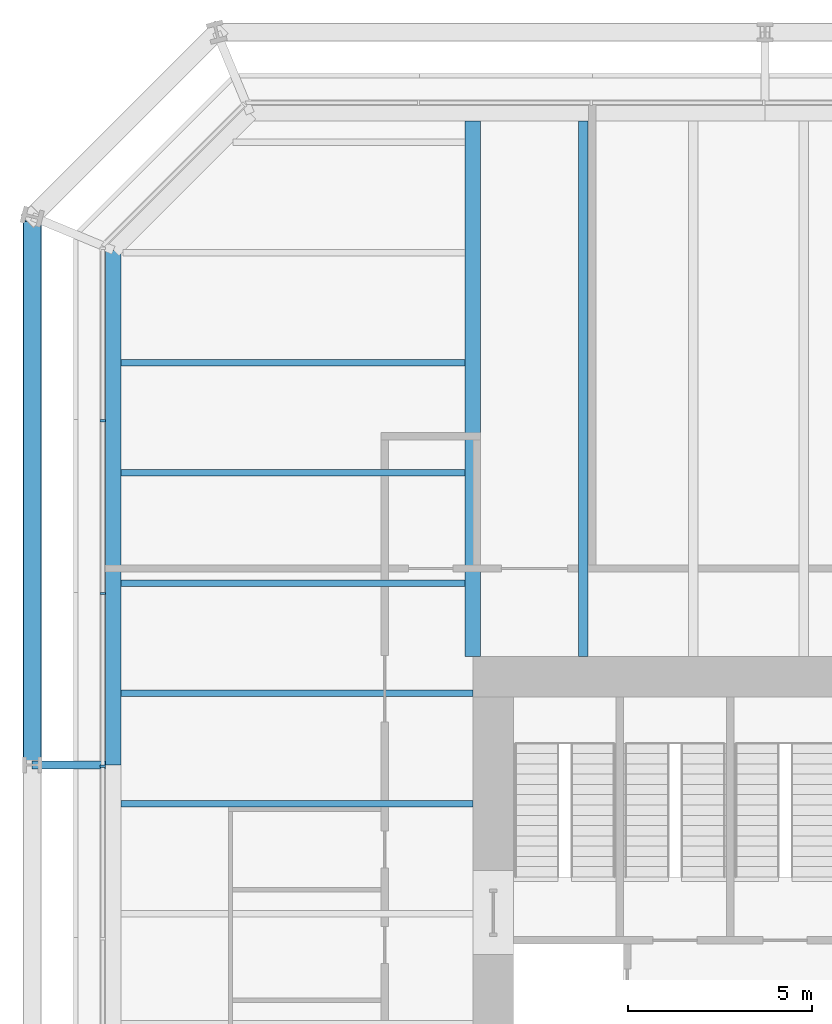
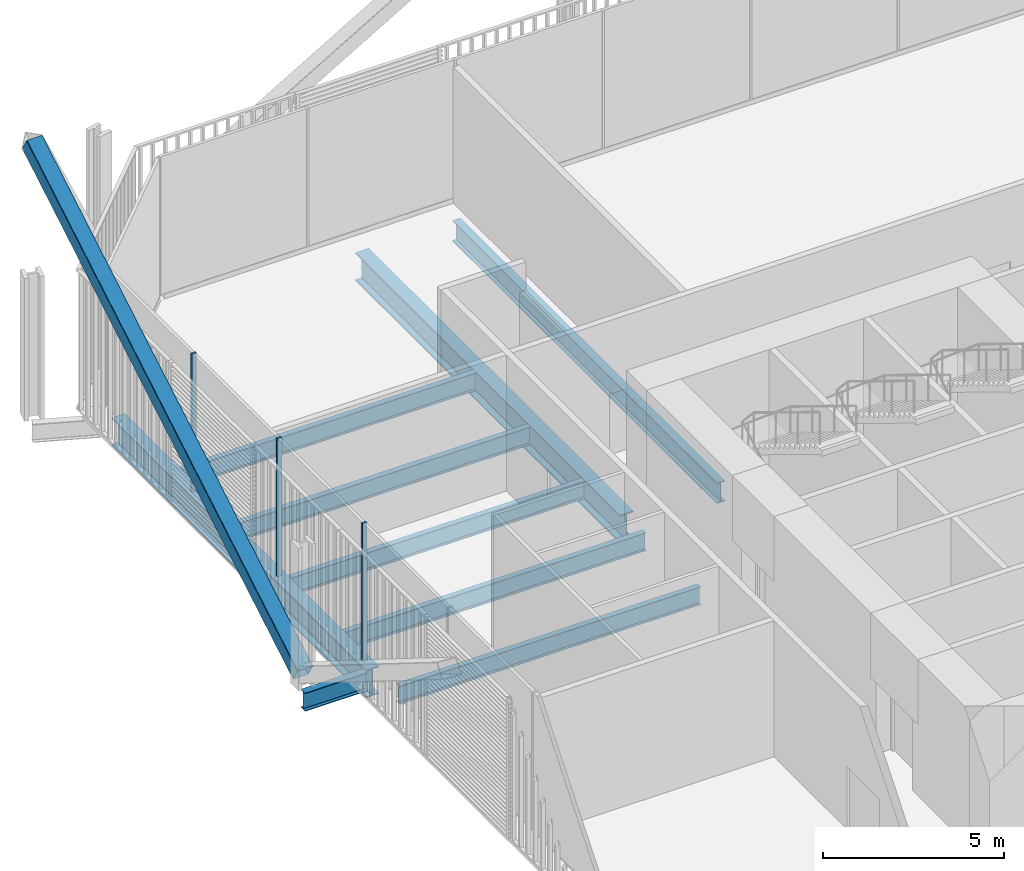
# One storey, part 12 of 22: 9 beams, 4 members, 1 element without a shape of its own.
"""IFC4 building model written with IfcOpenShell, lengths in metres."""

from ifc_helpers import new_model, si_unit, direction, frame, origin, origin_2d, place, context, subcontext, project, spatial, rectangle, hollow_rectangle, i_section, extrude, material, layer, layer_set, material_profile, profile_set, type_object, element, aggregate, save


model = new_model("IFC4")

# Units and contexts
model_context = context("Model", 3, precision=1e-05, world=origin(), true_north=direction((0.0, 1.0)))
body_context = subcontext(model_context, "Body", "Model", "MODEL_VIEW")
ifc_project = project(units=[si_unit("LENGTHUNIT", "METRE"), si_unit("AREAUNIT", "SQUARE_METRE"), si_unit("VOLUMEUNIT", "CUBIC_METRE"), si_unit("PLANEANGLEUNIT", "RADIAN"), si_unit("MASSUNIT", "GRAM", prefix="KILO")], contexts=[model_context])

# Site, building, storey
site_placement = place(None, origin())
site = spatial("IfcSite", under=ifc_project, at=site_placement, CompositionType="ELEMENT")
building_placement = place(site_placement, origin())
building = spatial("IfcBuilding", under=site, at=building_placement, Name="Millrace Tower", CompositionType="ELEMENT")
storey_placement = place(building_placement, frame((0.0, 0.0, 54.5)))
storey = spatial("IfcBuildingStorey", under=building, at=storey_placement, Name="L12", CompositionType="ELEMENT", Elevation=54.5)

# Curtain wall, members
ifc_material_1 = material(Name="Aluminium and glass", Category="aluminium")
ifc_layer = layer(ifc_material_1, 0.14990234375)
ifc_layer_set = layer_set([ifc_layer], Name="Aluminium and glass")
curtain_wall_type = type_object("IfcCurtainWallType", Name="CW-2 data hall insulated curtain wall", PredefinedType="NOTDEFINED", material=ifc_layer_set)
curtain_wall_placement = place(storey_placement, origin())
curtain_wall = element("IfcCurtainWall", 1, at=curtain_wall_placement, inside=storey, type_object=curtain_wall_type, Name="Curtain wall A-F08 L12", PredefinedType="NOTDEFINED")
ifc_material_2 = material(Name="Aluminium", Category="aluminium")
ifc_material_profile_1 = material_profile(ifc_material_2, rectangle(XDim=0.06494140625, YDim=0.14990234375, at=origin_2d()))
ifc_profile_set_1 = profile_set([ifc_material_profile_1], Name="Aluminium")
member_type_1 = type_object("IfcMemberType", Name="CW-2 data hall insulated curtain wall mullion", PredefinedType="MULLION", material=ifc_profile_set_1)
member_1_placement = place(storey_placement, frame((-25.074951171875, 16.41748046875, 0.159912109375), z_axis=(0.0, 0.0, 1.0), x_axis=(0.0, -1.0, 0.0)))
member_1 = element("IfcMember", 2, at=member_1_placement, type_object=member_type_1, Name="CW2 mullion A-F08.2", PredefinedType="MULLION", context=body_context, shape_type="SweptSolid", body=[
    extrude(rectangle(XDim=0.06494140625, YDim=0.14990234375, at=origin_2d()), origin(), (0.0, 0.0, 1.0), 4.64013671875),
])
member_2_placement = place(storey_placement, frame((-25.074951171875, 11.717529296875, 0.159912109375), z_axis=(0.0, 0.0, 1.0), x_axis=(0.0, -1.0, 0.0)))
member_2 = element("IfcMember", 3, at=member_2_placement, type_object=member_type_1, Name="CW2 mullion A-F08.3", PredefinedType="MULLION", context=body_context, shape_type="SweptSolid", body=[
    extrude(rectangle(XDim=0.06494140625, YDim=0.14990234375, at=origin_2d()), origin(), (0.0, 0.0, 1.0), 4.64013671875),
])
member_3_placement = place(storey_placement, frame((-25.074951171875, 7.017578125, 0.159912109375), z_axis=(0.0, 0.0, 1.0), x_axis=(0.0, -1.0, 0.0)))
member_3 = element("IfcMember", 4, at=member_3_placement, type_object=member_type_1, Name="CW2 mullion A-F08.4", PredefinedType="MULLION", context=body_context, shape_type="SweptSolid", body=[
    extrude(rectangle(XDim=0.06494140625, YDim=0.14990234375, at=origin_2d()), origin(), (0.0, 0.0, 1.0), 4.64013671875),
])
aggregate(curtain_wall, [member_1, member_2, member_3])

# Member
ifc_material_3 = material(Name="Steel ASTM A500 Grade C", Category="steel")
ifc_material_profile_2 = material_profile(ifc_material_3, hollow_rectangle(XDim=0.508056640625, YDim=0.508056640625, WallThickness=0.01904296875, InnerFilletRadius=0.009521484375, OuterFilletRadius=0.028564453125, at=origin_2d()))
ifc_profile_set_2 = profile_set([ifc_material_profile_2], Name="Steel ASTM A500 Grade C")
member_type_2 = type_object("IfcMemberType", Name="Exoskeleton brace HSS20x20x3/4", PredefinedType="BRACE", material=ifc_profile_set_2)
member_4_placement = place(storey_placement, frame((-27.0, 7.050048828125, 0.39990234375), z_axis=(0.0, 0.861464835883, 0.507817227491), x_axis=(-1.0, 0.0, 0.0)))
element("IfcMember", 5, at=member_4_placement, inside=storey, type_object=member_type_2, Name="BRC-A-L12-14", PredefinedType="BRACE", context=body_context, shape_type="SweptSolid", body=[
    extrude(hollow_rectangle(XDim=0.508056640625, YDim=0.508056640625, WallThickness=0.01904296875, InnerFilletRadius=0.009521484375, OuterFilletRadius=0.028564453125, at=origin_2d()), origin(), (0.0, 0.0, 1.0), 17.3291015625),
])

# Beams
ifc_material_4 = material(Name="Steel ASTM A992 Grade 50", Category="steel")
ifc_material_profile_3 = material_profile(ifc_material_4, i_section(OverallWidth=0.1787109375, OverallDepth=0.60205078125, WebThickness=0.010986328125, FlangeThickness=0.014892578125, FilletRadius=0.0126953125, at=origin_2d()))
ifc_profile_set_3 = profile_set([ifc_material_profile_3], Name="Steel ASTM A992 Grade 50")
beam_type_1 = type_object("IfcBeamType", Name="Floor beam W24x62", PredefinedType="JOIST", material=ifc_profile_set_3)
for number, where, z_axis, x_axis, name in (
    (6, (-24.578369140625, 6.0, -0.52587890625), (1.0, 0.0, 0.0), (0.0, 1.0, 0.0), "BM-A-L12-S1-S027"),
    (7, (-24.578369140625, 9.0, -0.52587890625), (1.0, 0.0, 0.0), (0.0, 1.0, 0.0), "BM-A-L12-S1-S030"),
):
    element("IfcBeam", number, at=place(storey_placement, frame(where, z_axis=z_axis, x_axis=x_axis)), inside=storey, type_object=beam_type_1, Name=name, PredefinedType="JOIST", context=body_context, shape_type="SweptSolid", body=[
        extrude(i_section(OverallWidth=0.1787109375, OverallDepth=0.60205078125, WebThickness=0.010986328125, FlangeThickness=0.014892578125, FilletRadius=0.0126953125, at=origin_2d()), origin(), (0.0, 0.0, 1.0), 9.578369140625),
    ])
for number, where, z_axis, x_axis, name in (
    (8, (-24.578369140625, 12.0, -0.52587890625), (1.0, 0.0, 0.0), (0.0, 1.0, 0.0), "BM-A-L12-S1-S032"),
    (9, (-24.578369140625, 15.0, -0.52587890625), (1.0, 0.0, 0.0), (0.0, 1.0, 0.0), "BM-A-L12-S1-S034"),
    (10, (-24.578369140625, 18.0, -0.52587890625), (1.0, 0.0, 0.0), (0.0, 1.0, 0.0), "BM-A-L12-S1-S036"),
):
    element("IfcBeam", number, at=place(storey_placement, frame(where, z_axis=z_axis, x_axis=x_axis)), inside=storey, type_object=beam_type_1, Name=name, PredefinedType="JOIST", context=body_context, shape_type="SweptSolid", body=[
        extrude(i_section(OverallWidth=0.1787109375, OverallDepth=0.60205078125, WebThickness=0.010986328125, FlangeThickness=0.014892578125, FilletRadius=0.0126953125, at=origin_2d()), origin(), (0.0, 0.0, 1.0), 9.3662109375),
    ])
ifc_material_5 = material(Name="Steel ASTM A992 Grade 50", Category="steel")
ifc_material_profile_4 = material_profile(ifc_material_5, i_section(OverallWidth=0.256591796875, OverallDepth=0.693359375, WebThickness=0.014404296875, FlangeThickness=0.023681640625, FilletRadius=0.01513671875, at=origin_2d()))
ifc_profile_set_4 = profile_set([ifc_material_profile_4], Name="Steel ASTM A992 Grade 50")
beam_type_2 = type_object("IfcBeamType", Name="Floor beam W27x114", PredefinedType="JOIST", material=ifc_profile_set_4)
beam_1_placement = place(storey_placement, frame((-12.0, 10.0, -0.57177734375), z_axis=(0.0, 1.0, 0.0), x_axis=(-1.0, 0.0, 0.0)))
element("IfcBeam", 11, at=beam_1_placement, inside=storey, type_object=beam_type_2, Name="BM-A-L12-S1-S042", PredefinedType="JOIST", context=body_context, shape_type="SweptSolid", body=[
    extrude(i_section(OverallWidth=0.256591796875, OverallDepth=0.693359375, WebThickness=0.014404296875, FlangeThickness=0.023681640625, FilletRadius=0.01513671875, at=origin_2d()), origin(), (0.0, 0.0, 1.0), 14.578369140625),
])
ifc_material_6 = material(Name="Steel ASTM A992 Grade 50", Category="steel")
ifc_material_profile_5 = material_profile(ifc_material_6, i_section(OverallWidth=0.424072265625, OverallDepth=0.947509765625, WebThickness=0.02392578125, FlangeThickness=0.042724609375, FilletRadius=0.024169921875, at=origin_2d()))
ifc_profile_set_5 = profile_set([ifc_material_profile_5], Name="Steel ASTM A992 Grade 50")
beam_type_3 = type_object("IfcBeamType", Name="Girder medium span W36x302", PredefinedType="BEAM", material=ifc_profile_set_5)
beam_2_placement = place(storey_placement, frame((-15.0, 10.0, -0.69873046875), z_axis=(0.0, 1.0, 0.0), x_axis=(-1.0, 0.0, 0.0)))
element("IfcBeam", 12, at=beam_2_placement, inside=storey, type_object=beam_type_3, Name="BM-A-L12-S1-G060", PredefinedType="BEAM", context=body_context, shape_type="SweptSolid", body=[
    extrude(i_section(OverallWidth=0.424072265625, OverallDepth=0.947509765625, WebThickness=0.02392578125, FlangeThickness=0.042724609375, FilletRadius=0.024169921875, at=origin_2d()), origin(), (0.0, 0.0, 1.0), 14.578369140625),
])
ifc_material_7 = material(Name="Steel ASTM A992 Grade 50", Category="steel")
ifc_material_profile_6 = material_profile(ifc_material_7, i_section(OverallWidth=0.23046875, OverallDepth=0.6171875, WebThickness=0.01318359375, FlangeThickness=0.022216796875, FilletRadius=0.012939453125, at=origin_2d()))
ifc_profile_set_6 = profile_set([ifc_material_profile_6], Name="Steel ASTM A992 Grade 50")
beam_type_4 = type_object("IfcBeamType", Name="Link beam W24x94", PredefinedType="BEAM", material=ifc_profile_set_6)
beam_3_placement = place(storey_placement, frame((-25.0, 7.050048828125, -0.53369140625), z_axis=(-1.0, 0.0, 0.0), x_axis=(0.0, -1.0, 0.0)))
element("IfcBeam", 13, at=beam_3_placement, inside=storey, type_object=beam_type_4, Name="LNK-A-L12-S1-03", PredefinedType="BEAM", context=body_context, shape_type="SweptSolid", body=[
    extrude(i_section(OverallWidth=0.23046875, OverallDepth=0.6171875, WebThickness=0.01318359375, FlangeThickness=0.022216796875, FilletRadius=0.012939453125, at=origin_2d()), origin(), (0.0, 0.0, 1.0), 2.0),
])
ifc_material_8 = material(Name="Steel ASTM A992 Grade 50", Category="steel")
ifc_material_profile_7 = material_profile(ifc_material_8, i_section(OverallWidth=0.421630859375, OverallDepth=0.937255859375, WebThickness=0.021240234375, FlangeThickness=0.03662109375, FilletRadius=0.024169921875, at=origin_2d()))
ifc_profile_set_7 = profile_set([ifc_material_profile_7], Name="Steel ASTM A992 Grade 50")
beam_type_5 = type_object("IfcBeamType", Name="Ring beam medium span W36x262", PredefinedType="SPANDREL", material=ifc_profile_set_7)
beam_4_placement = place(storey_placement, frame((-24.7890625, 7.050048828125, -0.693603515625), z_axis=(0.0, 1.0, 0.0), x_axis=(-1.0, 0.0, 0.0)))
element("IfcBeam", 14, at=beam_4_placement, inside=storey, type_object=beam_type_5, Name="RNG-A-L12-S1-03", PredefinedType="SPANDREL", context=body_context, shape_type="SweptSolid", body=[
    extrude(i_section(OverallWidth=0.421630859375, OverallDepth=0.937255859375, WebThickness=0.021240234375, FlangeThickness=0.03662109375, FilletRadius=0.024169921875, at=origin_2d()), origin(), (0.0, 0.0, 1.0), 14.0126953125),
])

save(model, "model.ifc")
